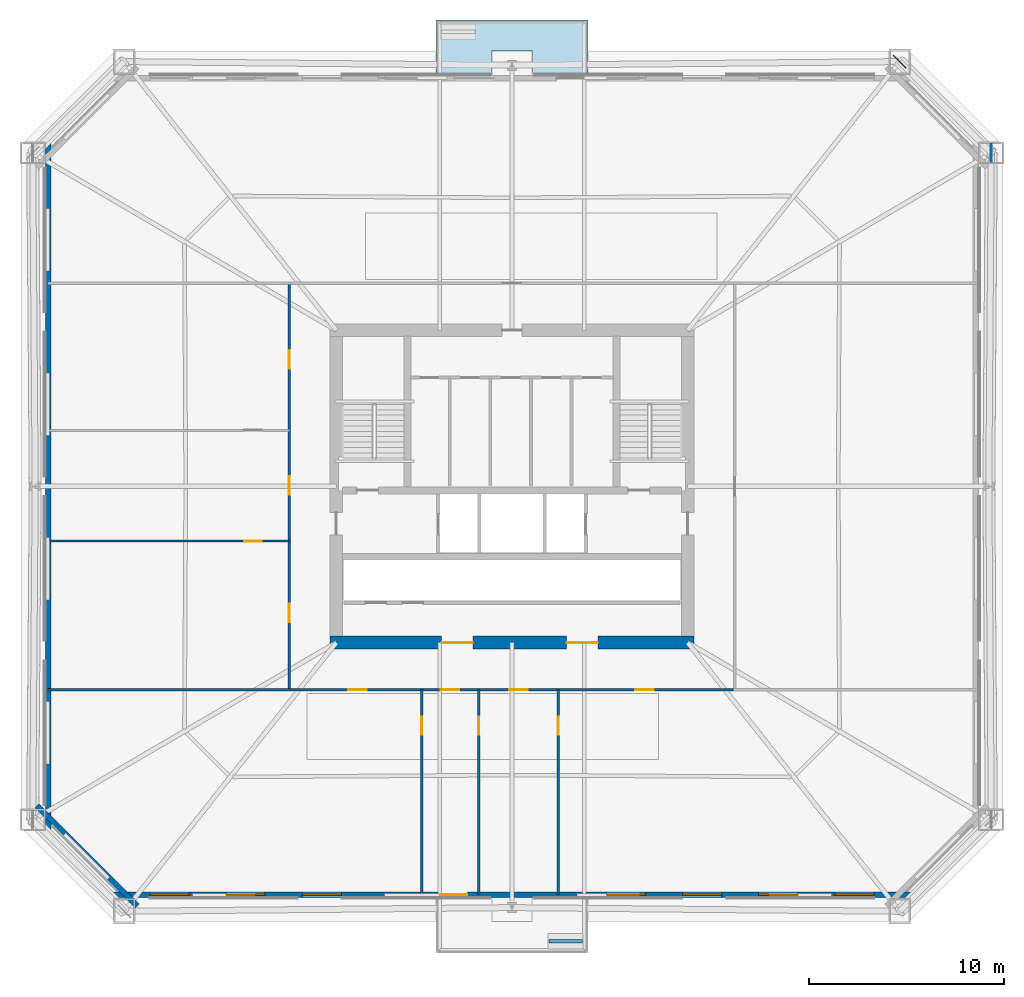
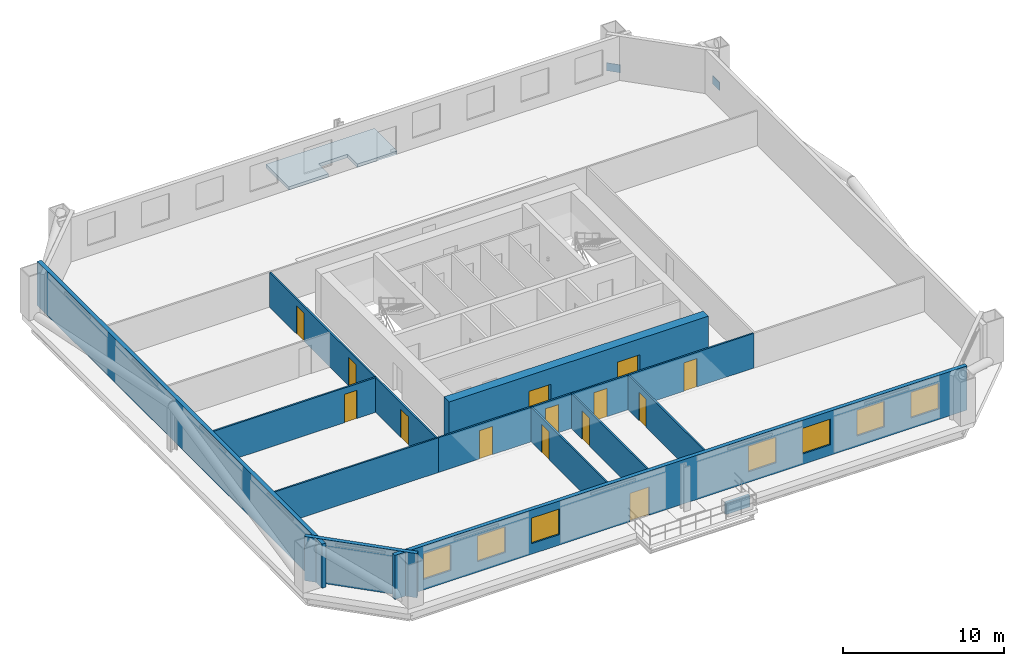
# One storey, part 3 of 7: 14 doors, 12 walls, 7 windows, 2 plates, 1 slab, 21 openings.
"""IFC4 building model written with IfcOpenShell, lengths in metres."""

import ifcopenshell
import ifcopenshell.guid

model = None  # the IFC model being written
_history = None  # IfcOwnerHistory: only IFC2X3 demands one
_inside = {}  # id of a spatial element -> (the spatial element, [elements in it])
_under = {}  # id of a project, library or spatial element -> (it, [spatial elements below it])
_declared = {}  # id of a project -> (the project, [libraries it declares])
_typed = {}  # id of a type object -> (the type object, [elements of that type])
_made_of = {}  # id of a material, layer set ... -> (it, [elements and type objects made of it])


def new_model(schema):
    """Start an empty IFC model of exactly this schema.

    Asked for "IFC4X3", IfcOpenShell would pick the latest addendum, in which some entities
    have other attributes; the version numbers below select the first issue.
    IFC2X3 requires an IfcOwnerHistory on every rooted entity: one is made here for all.
    """
    global model, _history
    if schema == "IFC4X3":
        model = ifcopenshell.file(schema_version=(4, 3, 0, 0))
    else:
        model = ifcopenshell.file(schema=schema)
    _inside.clear()
    _under.clear()
    _declared.clear()
    _typed.clear()
    _made_of.clear()
    _history = None
    if model.schema == "IFC2X3":
        org = make("IfcOrganization", Name="unknown")
        user = make(
            "IfcPersonAndOrganization",
            ThePerson=make("IfcPerson", FamilyName="unknown"),
            TheOrganization=org,
        )
        app = make(
            "IfcApplication",
            ApplicationDeveloper=org,
            Version="unknown",
            ApplicationFullName="unknown",
            ApplicationIdentifier="unknown",
        )
        _history = make(
            "IfcOwnerHistory",
            OwningUser=user,
            OwningApplication=app,
            ChangeAction="ADDED",
            CreationDate=0,
        )
    return model


def make(cls, **values):
    """One entity of the class cls with the attributes given. An attribute that is None is left unset."""
    return model.create_entity(
        cls, **{name: value for name, value in values.items() if value is not None}
    )


def rooted(cls, **values):
    """An entity with a GlobalId (a new one), such as an element, a storey or a relation."""
    return make(cls, GlobalId=ifcopenshell.guid.new(), OwnerHistory=_history, **values)


def si_unit(unit_type, name, prefix=None):
    """IfcSIUnit, for example si_unit("LENGTHUNIT", "METRE", prefix="MILLI")."""
    return make("IfcSIUnit", UnitType=unit_type, Prefix=prefix, Name=name)


def assignment(units):
    """IfcUnitAssignment: the units of a project."""
    return None if units is None else make("IfcUnitAssignment", Units=units)


def point(xyz):
    """IfcCartesianPoint."""
    return None if xyz is None else make("IfcCartesianPoint", Coordinates=xyz)


def direction(xyz):
    """IfcDirection."""
    return None if xyz is None else make("IfcDirection", DirectionRatios=xyz)


def frame(location, z_axis=None, x_axis=None):
    """IfcAxis2Placement3D, a coordinate frame: its origin and axes. An axis left out is left unset."""
    return make(
        "IfcAxis2Placement3D",
        Location=point(location),
        Axis=direction(z_axis),
        RefDirection=direction(x_axis),
    )


def frame_2d(location, x_axis=None):
    """IfcAxis2Placement2D, a coordinate frame in the plane: its origin and x axis."""
    return make(
        "IfcAxis2Placement2D", Location=point(location), RefDirection=direction(x_axis)
    )


def origin():
    """The frame at (0, 0, 0) with its axes left unset."""
    return frame((0.0, 0.0, 0.0))


def origin_2d():
    """The frame at (0, 0) in the plane with its x axis left unset."""
    return frame_2d((0.0, 0.0))


def place(relative_to, where):
    """IfcLocalPlacement: puts the frame where relative to a parent placement (None: the world)."""
    return make(
        "IfcLocalPlacement", PlacementRelTo=relative_to, RelativePlacement=where
    )


def context(
    kind, dimensions, precision=None, world=None, true_north=None, identifier=None
):
    """IfcGeometricRepresentationContext, for example the 3D "Model" context."""
    return make(
        "IfcGeometricRepresentationContext",
        ContextIdentifier=identifier,
        ContextType=kind,
        CoordinateSpaceDimension=dimensions,
        Precision=precision,
        WorldCoordinateSystem=world,
        TrueNorth=true_north,
    )


def subcontext(parent, identifier, kind, view, scale=None):
    """IfcGeometricRepresentationSubContext, for example "Body" below "Model"."""
    return make(
        "IfcGeometricRepresentationSubContext",
        ContextIdentifier=identifier,
        ContextType=kind,
        ParentContext=parent,
        TargetScale=scale,
        TargetView=view,
    )


def project(units=None, contexts=None):
    """IfcProject with its units and contexts."""
    return rooted(
        "IfcProject",
        Name="project",
        RepresentationContexts=contexts,
        UnitsInContext=assignment(units),
    )


def spatial(cls, under=None, at=None, **own):
    """A site, building, storey or space (cls), placed at a placement, below another one or the project."""
    s = rooted(cls, ObjectPlacement=at, **own)
    if under is not None:
        _under.setdefault(under.id(), (under, []))[1].append(s)
    return s


def polyline(points):
    """IfcPolyline through the points."""
    return make("IfcPolyline", Points=[point(p) for p in points])


def profile(cls, at=None, kind="AREA", **sizes):
    """A parametric profile (cls). Its sizes go by their IFC names, for example OverallWidth=200.0."""
    return make(cls, ProfileType=kind, Position=at, **sizes)


def rectangle(**sizes):
    """IfcRectangleProfileDef."""
    return profile("IfcRectangleProfileDef", **sizes)


def outline(outer, holes=None, kind="AREA"):
    """IfcArbitraryClosedProfileDef: a profile drawn as a closed curve; with holes, ...WithVoids."""
    if holes is None:
        return make("IfcArbitraryClosedProfileDef", ProfileType=kind, OuterCurve=outer)
    return make(
        "IfcArbitraryProfileDefWithVoids",
        ProfileType=kind,
        OuterCurve=outer,
        InnerCurves=holes,
    )


def extrude(swept, where, along, depth):
    """IfcExtrudedAreaSolid: the profile swept, set in the frame where, extruded along a direction by depth."""
    return make(
        "IfcExtrudedAreaSolid",
        SweptArea=swept,
        Position=where,
        ExtrudedDirection=direction(along),
        Depth=depth,
    )


def shape(context_of_items, identifier, shape_type, items):
    """IfcShapeRepresentation: the items that make up one representation, for example the "Body"."""
    return make(
        "IfcShapeRepresentation",
        ContextOfItems=context_of_items,
        RepresentationIdentifier=identifier,
        RepresentationType=shape_type,
        Items=items,
    )


def material(Name=None, Category=None):
    """IfcMaterial."""
    return make("IfcMaterial", Name=Name, Category=Category)


def layer(
    of_material, thickness, ventilated=None, Name=None, Category=None, Priority=None
):
    """IfcMaterialLayer: one layer of a wall or slab, of a material (None: an air gap)."""
    return make(
        "IfcMaterialLayer",
        Material=of_material,
        LayerThickness=thickness,
        IsVentilated=ventilated,
        Name=Name,
        Category=Category,
        Priority=Priority,
    )


def layer_set(layers, Name=None):
    """IfcMaterialLayerSet."""
    return make("IfcMaterialLayerSet", MaterialLayers=layers, LayerSetName=Name)


def made_of(thing, what):
    """Note that an element or type object is made of a material, layer set ...; save() writes the relation."""
    if what is not None:
        _made_of.setdefault(what.id(), (what, []))[1].append(thing)
    return thing


def type_object(cls, material=None, **own):
    """A type object (cls), such as IfcWallType, which elements share."""
    return made_of(rooted(cls, **own), material)


def element(
    cls,
    number,
    at=None,
    inside=None,
    cuts=None,
    type_object=None,
    material=None,
    context=None,
    identifier="Body",
    shape_type=None,
    held_by="IfcProductDefinitionShape",
    body=None,
    shapes=None,
    **own,
):
    """One element of the class cls, such as IfcWall. Its Tag is "e" and its number.

    at: its placement. inside: the storey or other place that contains it. cuts: it is an
    opening in that element (IfcRelVoidsElement). A single representation is given by context,
    identifier, shape_type and body (its items); several are given by shapes. held_by: the class
    of the entity that holds the representations. save() writes the other relations.
    """
    e = rooted(cls, Tag="e%d" % number, ObjectPlacement=at, **own)
    if body is not None:
        shapes = [shape(context, identifier, shape_type, body)]
    if shapes is not None:
        e.Representation = make(held_by, Representations=shapes)
    if inside is not None:
        _inside.setdefault(inside.id(), (inside, []))[1].append(e)
    if cuts is not None:
        rooted(
            "IfcRelVoidsElement", RelatingBuildingElement=cuts, RelatedOpeningElement=e
        )
    if type_object is not None:
        _typed.setdefault(type_object.id(), (type_object, []))[1].append(e)
    return made_of(e, material)


def fill(opening, filler):
    """IfcRelFillsElement: the door or window that sits in an opening."""
    return rooted(
        "IfcRelFillsElement",
        RelatingOpeningElement=opening,
        RelatedBuildingElement=filler,
    )


def aggregate(whole, parts):
    """IfcRelAggregates: a whole, such as a stair, and the parts it consists of."""
    return rooted("IfcRelAggregates", RelatingObject=whole, RelatedObjects=parts)


def save(model, path):
    """Write the relations noted so far, then the file.

    IfcRelAggregates (storeys below a building ...), IfcRelContainedInSpatialStructure (elements
    in a storey), IfcRelDefinesByType, IfcRelAssociatesMaterial and IfcRelDeclares: one each for
    every whole, place, type object, material and project.
    """
    for whole, parts in _under.values():
        aggregate(whole, parts)
    for where, things in _inside.values():
        rooted(
            "IfcRelContainedInSpatialStructure",
            RelatedElements=things,
            RelatingStructure=where,
        )
    for kind, things in _typed.values():
        rooted("IfcRelDefinesByType", RelatedObjects=things, RelatingType=kind)
    for what, things in _made_of.values():
        rooted("IfcRelAssociatesMaterial", RelatedObjects=things, RelatingMaterial=what)
    for by, libraries in _declared.values():
        rooted("IfcRelDeclares", RelatingContext=by, RelatedDefinitions=libraries)
    model.write(path)


model = new_model("IFC4")

# Units and contexts
model_context = context("Model", 3, precision=1e-05, world=origin(), true_north=direction((0.0, 1.0)))
body_context = subcontext(model_context, "Body", "Model", "MODEL_VIEW")
ifc_project = project(units=[si_unit("LENGTHUNIT", "METRE"), si_unit("AREAUNIT", "SQUARE_METRE"), si_unit("VOLUMEUNIT", "CUBIC_METRE"), si_unit("PLANEANGLEUNIT", "RADIAN"), si_unit("MASSUNIT", "GRAM", prefix="KILO")], contexts=[model_context])

# Site, building, storey
site_placement = place(None, origin())
site = spatial("IfcSite", under=ifc_project, at=site_placement, CompositionType="ELEMENT")
building_placement = place(site_placement, origin())
building = spatial("IfcBuilding", under=site, at=building_placement, Name="Caelvoria Tower", CompositionType="ELEMENT")
storey_placement = place(building_placement, frame((0.0, 0.0, 38.800048828125)))
storey = spatial("IfcBuildingStorey", under=building, at=storey_placement, Name="L09", CompositionType="ELEMENT", Elevation=38.800048828125)

# Plates
ifc_material_1 = material(Name="Structural Steel ASTM A572 Gr.50", Category="steel")
ifc_layer_1 = layer(ifc_material_1, 0.0400390625, Name="Structural Steel ASTM A572 Gr.50")
ifc_layer_set_1 = layer_set([ifc_layer_1], Name="Megaframe Node Gusset Plate 900x600x40 - Structural Steel ASTM A572 Gr.50")
plate_type = type_object("IfcPlateType", Name="Megaframe Node Gusset Plate 900x600x40", PredefinedType="USERDEFINED", material=ifc_layer_set_1)
for number, where, z_axis, x_axis, name in (
    (1, (65.86474609375, 53.768310546875, 0.02001953125), (0.0, 0.0, 1.0), (0.708230183111, -0.705981591638, 0.0), "Chamfer Mega Brace Gusset L09 NE"),
    (2, (70.55908203125, 49.0888671875, 0.0498046875), (0.0, 0.0, 1.0), (-0.007548477328, -0.999971509839, 0.0), "Megaframe Node Gusset Plate ND-04"),
):
    element("IfcPlate", number, at=place(storey_placement, frame(where, z_axis=z_axis, x_axis=x_axis)), inside=storey, type_object=plate_type, Name=name, ObjectType="GUSSET_PLATE", PredefinedType="USERDEFINED", context=body_context, shape_type="SweptSolid", body=[
        extrude(rectangle(XDim=0.89990234375, YDim=0.0400390625, at=origin_2d()), origin(), (0.0, 0.0, 1.0), 0.60009765625),
    ])

# Slab
ifc_material_2 = material(Name="Concrete C45/55", Category="concrete")
ifc_layer_2 = layer(ifc_material_2, 0.25, Name="Concrete C45/55")
ifc_layer_set_2 = layer_set([ifc_layer_2], Name="Tree Balcony Structural Planter Slab 250 - Concrete C45/55")
slab_type = type_object("IfcSlabType", Name="Tree Balcony Structural Planter Slab 250", PredefinedType="FLOOR", material=ifc_layer_set_2)
slab_placement = place(storey_placement, frame((0.0, 0.0, -0.25)))
element("IfcSlab", 3, at=slab_placement, inside=storey, type_object=slab_type, Name="Tree Balcony Slab TB-L09-N", PredefinedType="FLOOR", context=body_context, shape_type="SweptSolid", body=[
    extrude(outline(polyline([(42.10009765625, 55.89990234375), (42.10009765625, 54.300048828125), (42.10009765625, 53.06005859375), (44.9599609375, 53.06005859375), (44.9599609375, 54.300048828125), (47.0400390625, 54.300048828125), (47.0400390625, 53.06005859375), (49.89990234375, 53.06005859375), (49.89990234375, 54.300048828125), (49.89990234375, 55.89990234375), (42.10009765625, 55.89990234375)])), origin(), (0.0, 0.0, 1.0), 0.25),
])

# Wall
ifc_material_3 = material(Name="Bronze-Clad Concrete C40/50", Category="concrete")
ifc_layer_3 = layer(ifc_material_3, 0.179931640625, Name="Bronze-Clad Concrete C40/50")
ifc_layer_set_3 = layer_set([ifc_layer_3], Name="Architectural Planter Kerb Wall 180 - Bronze-Clad Concrete C40/50")
wall_type_1 = type_object("IfcWallType", Name="Architectural Planter Kerb Wall 180", PredefinedType="PARAPET", material=ifc_layer_set_3)
wall_1_placement = place(storey_placement, frame((47.89990234375, 8.699951171875, 0.0), z_axis=(0.0, 0.0, 1.0), x_axis=(1.0, 0.0, 0.0)))
element("IfcWall", 4, at=wall_1_placement, inside=storey, type_object=wall_type_1, Name="Tree Balcony Planter Kerb PLANTER TB-L09-S", PredefinedType="PARAPET", context=body_context, shape_type="SweptSolid", body=[
    extrude(rectangle(XDim=1.7001953125, YDim=0.179931640625, at=frame_2d((0.85009765625, 0.0))), origin(), (0.0, 0.0, 1.0), 0.8798828125),
])

# Wall, openings, windows, door
ifc_material_4 = material(Name="Precast Concrete C40/50 with Bronze Cladding", Category="concrete")
ifc_layer_4 = layer(ifc_material_4, 0.280029296875, Name="Precast Concrete C40/50 with Bronze Cladding")
ifc_layer_set_4 = layer_set([ifc_layer_4], Name="Exterior Precast Concrete C40/50 Bronze-Clad Facade Wall 280 - Precast Concrete C40/50 with Bronze Cladding")
wall_type_2 = type_object("IfcWallType", Name="Exterior Precast Concrete C40/50 Bronze-Clad Facade Wall 280", PredefinedType="STANDARD", material=ifc_layer_set_4)
wall_2_placement = place(storey_placement, frame((25.409912109375, 11.080078125, 0.0), z_axis=(0.0, 0.0, 1.0), x_axis=(1.0, 0.0, 0.0)))
wall_2 = element("IfcWall", 5, at=wall_2_placement, inside=storey, type_object=wall_type_2, Name="Exterior Facade Wall L09-E0", PredefinedType="STANDARD", context=body_context, shape_type="SweptSolid", body=[
    extrude(rectangle(XDim=41.18017578125, YDim=0.280029296875, at=frame_2d((20.590087890625, 0.0))), origin(), (0.0, 0.0, 1.0), 3.35986328125),
])
opening_1_placement = place(wall_2_placement, frame((16.909912109375, 0.0, 0.0)))
opening_1 = element("IfcOpeningElement", 6, at=opening_1_placement, cuts=wall_2, Name="Opening ED-04", PredefinedType="OPENING", context=body_context, shape_type="SweptSolid", body=[
    extrude(rectangle(XDim=1.39990234375, YDim=2.14990234375, at=frame_2d((0.699951171875, 1.074951171875))), frame((0.0, 0.14990234375, 0.0), z_axis=(0.0, -1.0, 0.0), x_axis=(1.0, 0.0, 0.0)), (0.0, 0.0, 1.0), 0.300048828125),
])
opening_2_placement = place(wall_2_placement, frame((2.049072265625, 0.0, 0.800048828125)))
opening_2 = element("IfcOpeningElement", 7, at=opening_2_placement, cuts=wall_2, Name="Opening WN-01", PredefinedType="OPENING", context=body_context, shape_type="SweptSolid", body=[
    extrude(rectangle(XDim=2.0, YDim=1.949951171875, at=frame_2d((1.0, 0.97509765625))), frame((0.0, 0.14990234375, 0.0), z_axis=(0.0, -1.0, 0.0), x_axis=(1.0, 0.0, 0.0)), (0.0, 0.0, 1.0), 0.300048828125),
])
opening_3_placement = place(wall_2_placement, frame((5.947021484375, 0.0, 0.800048828125)))
opening_3 = element("IfcOpeningElement", 8, at=opening_3_placement, cuts=wall_2, Name="Opening WN-01", PredefinedType="OPENING", context=body_context, shape_type="SweptSolid", body=[
    extrude(rectangle(XDim=2.0, YDim=1.949951171875, at=frame_2d((1.0, 0.97509765625))), frame((0.0, 0.14990234375, 0.0), z_axis=(0.0, -1.0, 0.0), x_axis=(1.0, 0.0, 0.0)), (0.0, 0.0, 1.0), 0.300048828125),
])
opening_4_placement = place(wall_2_placement, frame((9.844970703125, 0.0, 0.800048828125)))
opening_4 = element("IfcOpeningElement", 9, at=opening_4_placement, cuts=wall_2, Name="Opening WN-01", PredefinedType="OPENING", context=body_context, shape_type="SweptSolid", body=[
    extrude(rectangle(XDim=2.0, YDim=1.949951171875, at=frame_2d((1.0, 0.97509765625))), frame((0.0, 0.14990234375, 0.0), z_axis=(0.0, -1.0, 0.0), x_axis=(1.0, 0.0, 0.0)), (0.0, 0.0, 1.0), 0.300048828125),
])
opening_5_placement = place(wall_2_placement, frame((25.43701171875, 0.0, 0.800048828125)))
opening_5 = element("IfcOpeningElement", 10, at=opening_5_placement, cuts=wall_2, Name="Opening WN-01", PredefinedType="OPENING", context=body_context, shape_type="SweptSolid", body=[
    extrude(rectangle(XDim=2.0, YDim=1.949951171875, at=frame_2d((1.0, 0.97509765625))), frame((0.0, 0.14990234375, 0.0), z_axis=(0.0, -1.0, 0.0), x_axis=(1.0, 0.0, 0.0)), (0.0, 0.0, 1.0), 0.300048828125),
])
opening_6_placement = place(wall_2_placement, frame((29.3349609375, 0.0, 0.800048828125)))
opening_6 = element("IfcOpeningElement", 11, at=opening_6_placement, cuts=wall_2, Name="Opening WN-01", PredefinedType="OPENING", context=body_context, shape_type="SweptSolid", body=[
    extrude(rectangle(XDim=2.0, YDim=1.949951171875, at=frame_2d((1.0, 0.97509765625))), frame((0.0, 0.14990234375, 0.0), z_axis=(0.0, -1.0, 0.0), x_axis=(1.0, 0.0, 0.0)), (0.0, 0.0, 1.0), 0.300048828125),
])
opening_7_placement = place(wall_2_placement, frame((33.23291015625, 0.0, 0.800048828125)))
opening_7 = element("IfcOpeningElement", 12, at=opening_7_placement, cuts=wall_2, Name="Opening WN-01", PredefinedType="OPENING", context=body_context, shape_type="SweptSolid", body=[
    extrude(rectangle(XDim=2.0, YDim=1.949951171875, at=frame_2d((1.0, 0.97509765625))), frame((0.0, 0.14990234375, 0.0), z_axis=(0.0, -1.0, 0.0), x_axis=(1.0, 0.0, 0.0)), (0.0, 0.0, 1.0), 0.300048828125),
])
opening_8_placement = place(wall_2_placement, frame((37.131103515625, 0.0, 0.800048828125)))
opening_8 = element("IfcOpeningElement", 13, at=opening_8_placement, cuts=wall_2, Name="Opening WN-01", PredefinedType="OPENING", context=body_context, shape_type="SweptSolid", body=[
    extrude(rectangle(XDim=2.0, YDim=1.949951171875, at=frame_2d((1.0, 0.97509765625))), frame((0.0, 0.14990234375, 0.0), z_axis=(0.0, -1.0, 0.0), x_axis=(1.0, 0.0, 0.0)), (0.0, 0.0, 1.0), 0.300048828125),
])
ifc_material_5 = material(Name="Low-E Tinted Glass in Bronze Aluminium Frame", Category="aluminium")
window_type = type_object("IfcWindowType", Name="Tower Office Vision Window 2000x1950", PartitioningType="SINGLE_PANEL", PredefinedType="WINDOW", material=ifc_material_5)
window_1_placement = place(opening_2_placement, origin())
window_1 = element("IfcWindow", 14, at=window_1_placement, inside=storey, type_object=window_type, Name="Facade Window L09-E0-00", OverallHeight=1.949951171875, OverallWidth=2.0, PartitioningType="SINGLE_PANEL", PredefinedType="WINDOW", context=body_context, shape_type="SweptSolid", body=[
    extrude(rectangle(XDim=2.0, YDim=1.949951171875, at=frame_2d((1.0, 0.97509765625))), frame((0.0, 0.030029296875, 0.0), z_axis=(0.0, -1.0, 0.0), x_axis=(1.0, 0.0, 0.0)), (0.0, 0.0, 1.0), 0.06005859375),
])
fill(opening_2, window_1)
window_2_placement = place(opening_3_placement, origin())
window_2 = element("IfcWindow", 15, at=window_2_placement, inside=storey, type_object=window_type, Name="Facade Window L09-E0-01", OverallHeight=1.949951171875, OverallWidth=2.0, PartitioningType="SINGLE_PANEL", PredefinedType="WINDOW", context=body_context, shape_type="SweptSolid", body=[
    extrude(rectangle(XDim=2.0, YDim=1.949951171875, at=frame_2d((1.0, 0.97509765625))), frame((0.0, 0.030029296875, 0.0), z_axis=(0.0, -1.0, 0.0), x_axis=(1.0, 0.0, 0.0)), (0.0, 0.0, 1.0), 0.06005859375),
])
fill(opening_3, window_2)
window_3_placement = place(opening_4_placement, origin())
window_3 = element("IfcWindow", 16, at=window_3_placement, inside=storey, type_object=window_type, Name="Facade Window L09-E0-02", OverallHeight=1.949951171875, OverallWidth=2.0, PartitioningType="SINGLE_PANEL", PredefinedType="WINDOW", context=body_context, shape_type="SweptSolid", body=[
    extrude(rectangle(XDim=2.0, YDim=1.949951171875, at=frame_2d((1.0, 0.97509765625))), frame((0.0, 0.030029296875, 0.0), z_axis=(0.0, -1.0, 0.0), x_axis=(1.0, 0.0, 0.0)), (0.0, 0.0, 1.0), 0.06005859375),
])
fill(opening_4, window_3)
window_4_placement = place(opening_5_placement, origin())
window_4 = element("IfcWindow", 17, at=window_4_placement, inside=storey, type_object=window_type, Name="Facade Window L09-E0-06", OverallHeight=1.949951171875, OverallWidth=2.0, PartitioningType="SINGLE_PANEL", PredefinedType="WINDOW", context=body_context, shape_type="SweptSolid", body=[
    extrude(rectangle(XDim=2.0, YDim=1.949951171875, at=frame_2d((1.0, 0.97509765625))), frame((0.0, 0.030029296875, 0.0), z_axis=(0.0, -1.0, 0.0), x_axis=(1.0, 0.0, 0.0)), (0.0, 0.0, 1.0), 0.06005859375),
])
fill(opening_5, window_4)
window_5_placement = place(opening_6_placement, origin())
window_5 = element("IfcWindow", 18, at=window_5_placement, inside=storey, type_object=window_type, Name="Facade Window L09-E0-07", OverallHeight=1.949951171875, OverallWidth=2.0, PartitioningType="SINGLE_PANEL", PredefinedType="WINDOW", context=body_context, shape_type="SweptSolid", body=[
    extrude(rectangle(XDim=2.0, YDim=1.949951171875, at=frame_2d((1.0, 0.97509765625))), frame((0.0, 0.030029296875, 0.0), z_axis=(0.0, -1.0, 0.0), x_axis=(1.0, 0.0, 0.0)), (0.0, 0.0, 1.0), 0.06005859375),
])
fill(opening_6, window_5)
window_6_placement = place(opening_7_placement, origin())
window_6 = element("IfcWindow", 19, at=window_6_placement, inside=storey, type_object=window_type, Name="Facade Window L09-E0-08", OverallHeight=1.949951171875, OverallWidth=2.0, PartitioningType="SINGLE_PANEL", PredefinedType="WINDOW", context=body_context, shape_type="SweptSolid", body=[
    extrude(rectangle(XDim=2.0, YDim=1.949951171875, at=frame_2d((1.0, 0.97509765625))), frame((0.0, 0.030029296875, 0.0), z_axis=(0.0, -1.0, 0.0), x_axis=(1.0, 0.0, 0.0)), (0.0, 0.0, 1.0), 0.06005859375),
])
fill(opening_7, window_6)
window_7_placement = place(opening_8_placement, origin())
window_7 = element("IfcWindow", 20, at=window_7_placement, inside=storey, type_object=window_type, Name="Facade Window L09-E0-09", OverallHeight=1.949951171875, OverallWidth=2.0, PartitioningType="SINGLE_PANEL", PredefinedType="WINDOW", context=body_context, shape_type="SweptSolid", body=[
    extrude(rectangle(XDim=2.0, YDim=1.949951171875, at=frame_2d((1.0, 0.97509765625))), frame((0.0, 0.030029296875, 0.0), z_axis=(0.0, -1.0, 0.0), x_axis=(1.0, 0.0, 0.0)), (0.0, 0.0, 1.0), 0.06005859375),
])
fill(opening_8, window_7)
ifc_material_6 = material(Name="Anodised Bronze Aluminium and Laminated Glass", Category="aluminium")
door_type_1 = type_object("IfcDoorType", Name="Tree Balcony Glazed Door 1400x2150", OperationType="NOTDEFINED", PredefinedType="DOOR", material=ifc_material_6)
door_1_placement = place(opening_1_placement, origin())
door_1 = element("IfcDoor", 21, at=door_1_placement, inside=storey, type_object=door_type_1, Name="Tree Balcony Door L09-S", OperationType="SINGLE_SWING_RIGHT", OverallHeight=2.14990234375, OverallWidth=1.39990234375, PredefinedType="DOOR", context=body_context, shape_type="SweptSolid", body=[
    extrude(rectangle(XDim=1.39990234375, YDim=2.14990234375, at=frame_2d((0.699951171875, 1.074951171875))), frame((0.0, 0.02490234375, 0.0), z_axis=(0.0, -1.0, 0.0), x_axis=(1.0, 0.0, 0.0)), (0.0, 0.0, 1.0), 0.050048828125),
])
fill(opening_1, door_1)

# Walls
wall_3_placement = place(storey_placement, frame((22.22998046875, 49.739990234375, 0.0), z_axis=(0.0, 0.0, 1.0), x_axis=(0.0, -1.0, 0.0)))
element("IfcWall", 22, at=wall_3_placement, inside=storey, type_object=wall_type_2, Name="Exterior Facade Wall L09-E6", PredefinedType="STANDARD", context=body_context, shape_type="SweptSolid", body=[
    extrude(rectangle(XDim=35.47998046875, YDim=0.280029296875, at=frame_2d((17.739990234375, 0.0))), origin(), (0.0, 0.0, 1.0), 3.35986328125),
])
wall_4_placement = place(storey_placement, frame((21.656005859375, 15.6455078125, 0.0), z_axis=(0.0, 0.0, 1.0), x_axis=(0.707106781187, -0.707106781187, 0.0)))
element("IfcWall", 23, at=wall_4_placement, inside=storey, type_object=wall_type_2, Name="Exterior Facade Wall L09-E7", PredefinedType="STANDARD", context=body_context, shape_type="SweptSolid", body=[
    extrude(rectangle(XDim=7.268310546875, YDim=0.280029296875, at=frame_2d((3.63427734375, 0.0))), origin(), (0.0, 0.0, 1.0), 3.35986328125),
])

# Wall, openings, doors
ifc_material_7 = material(Name="Concrete C60/75", Category="concrete")
ifc_layer_5 = layer(ifc_material_7, 0.64990234375, Name="Concrete C60/75")
ifc_layer_set_5 = layer_set([ifc_layer_5], Name="Lower Core Shear Wall 650 - Concrete C60/75")
wall_type_3 = type_object("IfcWallType", Name="Lower Core Shear Wall 650", PredefinedType="SHEAR", material=ifc_layer_set_5)
wall_5_placement = place(storey_placement, frame((36.675048828125, 24.0, 0.0), z_axis=(0.0, 0.0, 1.0), x_axis=(1.0, 0.0, 0.0)))
wall_5 = element("IfcWall", 24, at=wall_5_placement, inside=storey, type_object=wall_type_3, Name="Core Shear Wall L09 S", PredefinedType="SHEAR", context=body_context, shape_type="SweptSolid", body=[
    extrude(rectangle(XDim=18.64990234375, YDim=0.64990234375, at=frame_2d((9.324951171875, 0.0))), origin(), (0.0, 0.0, 1.0), 3.35986328125),
])
opening_9_placement = place(wall_5_placement, frame((5.72509765625, 0.0, 0.0)))
opening_9 = element("IfcOpeningElement", 25, at=opening_9_placement, cuts=wall_5, Name="Opening ID-08", PredefinedType="OPENING", context=body_context, shape_type="SweptSolid", body=[
    extrude(rectangle(XDim=1.60009765625, YDim=2.14990234375, at=frame_2d((0.800048828125, 1.074951171875))), frame((0.0, 0.3349609375, 0.0), z_axis=(0.0, -1.0, 0.0), x_axis=(1.0, 0.0, 0.0)), (0.0, 0.0, 1.0), 0.669921875),
])
opening_10_placement = place(wall_5_placement, frame((12.125, 0.0, 0.0)))
opening_10 = element("IfcOpeningElement", 26, at=opening_10_placement, cuts=wall_5, Name="Opening ID-08", PredefinedType="OPENING", context=body_context, shape_type="SweptSolid", body=[
    extrude(rectangle(XDim=1.60009765625, YDim=2.14990234375, at=frame_2d((0.800048828125, 1.074951171875))), frame((0.0, 0.3349609375, 0.0), z_axis=(0.0, -1.0, 0.0), x_axis=(1.0, 0.0, 0.0)), (0.0, 0.0, 1.0), 0.669921875),
])
ifc_material_8 = material(Name="Bronze-Framed Fire-Rated Glazed Double Door", Category="aluminium")
door_type_2 = type_object("IfcDoorType", Name="Double Lobby Glazed Door 1600x2200", OperationType="NOTDEFINED", PredefinedType="DOOR", material=ifc_material_8)
door_2_placement = place(opening_9_placement, origin())
door_2 = element("IfcDoor", 27, at=door_2_placement, inside=storey, type_object=door_type_2, Name="Core Door DR-L09-LLOB-S1", OperationType="DOUBLE_DOOR_SINGLE_SWING", OverallHeight=2.14990234375, OverallWidth=1.60009765625, PredefinedType="DOOR", context=body_context, shape_type="SweptSolid", body=[
    extrude(rectangle(XDim=1.60009765625, YDim=2.14990234375, at=frame_2d((0.800048828125, 1.074951171875))), frame((0.0, 0.02490234375, 0.0), z_axis=(0.0, -1.0, 0.0), x_axis=(1.0, 0.0, 0.0)), (0.0, 0.0, 1.0), 0.050048828125),
])
fill(opening_9, door_2)
door_3_placement = place(opening_10_placement, origin())
door_3 = element("IfcDoor", 28, at=door_3_placement, inside=storey, type_object=door_type_2, Name="Core Door DR-L09-LLOB-S2", OperationType="DOUBLE_DOOR_SINGLE_SWING", OverallHeight=2.14990234375, OverallWidth=1.60009765625, PredefinedType="DOOR", context=body_context, shape_type="SweptSolid", body=[
    extrude(rectangle(XDim=1.60009765625, YDim=2.14990234375, at=frame_2d((0.800048828125, 1.074951171875))), frame((0.0, 0.02490234375, 0.0), z_axis=(0.0, -1.0, 0.0), x_axis=(1.0, 0.0, 0.0)), (0.0, 0.0, 1.0), 0.050048828125),
])
fill(opening_10, door_3)

# Wall, opening, door
ifc_material_9 = material(Name="Acoustic Gypsum Board on Light-Gauge Stud", Category="gypsum")
ifc_layer_6 = layer(ifc_material_9, 0.1201171875, Name="Acoustic Gypsum Board on Light-Gauge Stud")
ifc_layer_set_6 = layer_set([ifc_layer_6], Name="Tenant Suite Acoustic Partition Wall 120 - Acoustic Gypsum Board on Light-Gauge Stud")
wall_type_4 = type_object("IfcWallType", Name="Tenant Suite Acoustic Partition Wall 120", PredefinedType="PARTITIONING", material=ifc_layer_set_6)
wall_6_placement = place(storey_placement, frame((41.37890625, 21.590087890625, 0.0), z_axis=(0.0, 0.0, 1.0), x_axis=(0.0, -1.0, 0.0)))
wall_6 = element("IfcWall", 29, at=wall_6_placement, inside=storey, type_object=wall_type_4, Name="Interior Partition IW-L09-SD-00-0", PredefinedType="PARTITIONING", context=body_context, shape_type="SweptSolid", body=[
    extrude(rectangle(XDim=10.510009765625, YDim=0.1201171875, at=frame_2d((5.2548828125, 0.0))), origin(), (0.0, 0.0, 1.0), 2.639892578125),
])
opening_11_placement = place(wall_6_placement, frame((1.39990234375, 0.0, 0.0)))
opening_11 = element("IfcOpeningElement", 30, at=opening_11_placement, cuts=wall_6, Name="Opening ID-06", PredefinedType="OPENING", context=body_context, shape_type="SweptSolid", body=[
    extrude(rectangle(XDim=0.89990234375, YDim=2.14990234375, at=frame_2d((0.449951171875, 1.074951171875))), frame((0.0, 0.070068359375, 0.0), z_axis=(0.0, -1.0, 0.0), x_axis=(1.0, 0.0, 0.0)), (0.0, 0.0, 1.0), 0.14013671875),
])
ifc_material_10 = material(Name="Engineered Andean Oak Veneer Door", Category="wood")
door_type_3 = type_object("IfcDoorType", Name="Interior Timber Door 900x2150", OperationType="NOTDEFINED", PredefinedType="DOOR", material=ifc_material_10)
door_4_placement = place(opening_11_placement, origin())
door_4 = element("IfcDoor", 31, at=door_4_placement, inside=storey, type_object=door_type_3, Name="Interior Door DR-L09-SM-00-0", OperationType="SINGLE_SWING_RIGHT", OverallHeight=2.14990234375, OverallWidth=0.89990234375, PredefinedType="DOOR", context=body_context, shape_type="SweptSolid", body=[
    extrude(rectangle(XDim=0.89990234375, YDim=2.14990234375, at=frame_2d((0.449951171875, 1.074951171875))), frame((0.0, 0.02490234375, 0.0), z_axis=(0.0, -1.0, 0.0), x_axis=(1.0, 0.0, 0.0)), (0.0, 0.0, 1.0), 0.050048828125),
])
fill(opening_11, door_4)

wall_7_placement = place(storey_placement, frame((44.288818359375, 21.590087890625, 0.0), z_axis=(0.0, 0.0, 1.0), x_axis=(0.0, -1.0, 0.0)))
wall_7 = element("IfcWall", 32, at=wall_7_placement, inside=storey, type_object=wall_type_4, Name="Interior Partition IW-L09-SD-01-0", PredefinedType="PARTITIONING", context=body_context, shape_type="SweptSolid", body=[
    extrude(rectangle(XDim=10.510009765625, YDim=0.1201171875, at=frame_2d((5.2548828125, 0.0))), origin(), (0.0, 0.0, 1.0), 2.639892578125),
])
opening_12_placement = place(wall_7_placement, frame((1.39990234375, 0.0, 0.0)))
opening_12 = element("IfcOpeningElement", 33, at=opening_12_placement, cuts=wall_7, Name="Opening ID-06", PredefinedType="OPENING", context=body_context, shape_type="SweptSolid", body=[
    extrude(rectangle(XDim=0.89990234375, YDim=2.14990234375, at=frame_2d((0.449951171875, 1.074951171875))), frame((0.0, 0.070068359375, 0.0), z_axis=(0.0, -1.0, 0.0), x_axis=(1.0, 0.0, 0.0)), (0.0, 0.0, 1.0), 0.14013671875),
])
door_5_placement = place(opening_12_placement, origin())
door_5 = element("IfcDoor", 34, at=door_5_placement, inside=storey, type_object=door_type_3, Name="Interior Door DR-L09-SM-01-0", OperationType="SINGLE_SWING_LEFT", OverallHeight=2.14990234375, OverallWidth=0.89990234375, PredefinedType="DOOR", context=body_context, shape_type="SweptSolid", body=[
    extrude(rectangle(XDim=0.89990234375, YDim=2.14990234375, at=frame_2d((0.449951171875, 1.074951171875))), frame((0.0, 0.02490234375, 0.0), z_axis=(0.0, -1.0, 0.0), x_axis=(1.0, 0.0, 0.0)), (0.0, 0.0, 1.0), 0.050048828125),
])
fill(opening_12, door_5)

wall_8_placement = place(storey_placement, frame((48.36962890625, 21.590087890625, 0.0), z_axis=(0.0, 0.0, 1.0), x_axis=(0.0, -1.0, 0.0)))
wall_8 = element("IfcWall", 35, at=wall_8_placement, inside=storey, type_object=wall_type_4, Name="Interior Partition IW-L09-SD-02-0", PredefinedType="PARTITIONING", context=body_context, shape_type="SweptSolid", body=[
    extrude(rectangle(XDim=10.510009765625, YDim=0.1201171875, at=frame_2d((5.2548828125, 0.0))), origin(), (0.0, 0.0, 1.0), 2.639892578125),
])
opening_13_placement = place(wall_8_placement, frame((1.39990234375, 0.0, 0.0)))
opening_13 = element("IfcOpeningElement", 36, at=opening_13_placement, cuts=wall_8, Name="Opening ID-06", PredefinedType="OPENING", context=body_context, shape_type="SweptSolid", body=[
    extrude(rectangle(XDim=0.89990234375, YDim=2.14990234375, at=frame_2d((0.449951171875, 1.074951171875))), frame((0.0, 0.070068359375, 0.0), z_axis=(0.0, -1.0, 0.0), x_axis=(1.0, 0.0, 0.0)), (0.0, 0.0, 1.0), 0.14013671875),
])
door_6_placement = place(opening_13_placement, origin())
door_6 = element("IfcDoor", 37, at=door_6_placement, inside=storey, type_object=door_type_3, Name="Interior Door DR-L09-SM-02-0", OperationType="SINGLE_SWING_RIGHT", OverallHeight=2.14990234375, OverallWidth=0.89990234375, PredefinedType="DOOR", context=body_context, shape_type="SweptSolid", body=[
    extrude(rectangle(XDim=0.89990234375, YDim=2.14990234375, at=frame_2d((0.449951171875, 1.074951171875))), frame((0.0, 0.02490234375, 0.0), z_axis=(0.0, -1.0, 0.0), x_axis=(1.0, 0.0, 0.0)), (0.0, 0.0, 1.0), 0.050048828125),
])
fill(opening_13, door_6)

# Wall, openings, doors
wall_9_placement = place(storey_placement, frame((34.64990234375, 21.590087890625, 0.0), z_axis=(0.0, 0.0, 1.0), x_axis=(1.0, 0.0, 0.0)))
wall_9 = element("IfcWall", 38, at=wall_9_placement, inside=storey, type_object=wall_type_4, Name="Interior Partition IW-L09-SCW-0", PredefinedType="PARTITIONING", context=body_context, shape_type="SweptSolid", body=[
    extrude(rectangle(XDim=22.7001953125, YDim=0.1201171875, at=frame_2d((11.35009765625, 0.0))), origin(), (0.0, 0.0, 1.0), 2.639892578125),
])
opening_14_placement = place(wall_9_placement, frame((2.95947265625, 0.0, 0.0)))
opening_14 = element("IfcOpeningElement", 39, at=opening_14_placement, cuts=wall_9, Name="Opening ID-05", PredefinedType="OPENING", context=body_context, shape_type="SweptSolid", body=[
    extrude(rectangle(XDim=0.949951171875, YDim=2.14990234375, at=frame_2d((0.47509765625, 1.074951171875))), frame((0.0, 0.070068359375, 0.0), z_axis=(0.0, -1.0, 0.0), x_axis=(1.0, 0.0, 0.0)), (0.0, 0.0, 1.0), 0.14013671875),
])
opening_15_placement = place(wall_9_placement, frame((7.708740234375, 0.0, 0.0)))
opening_15 = element("IfcOpeningElement", 40, at=opening_15_placement, cuts=wall_9, Name="Opening ID-05", PredefinedType="OPENING", context=body_context, shape_type="SweptSolid", body=[
    extrude(rectangle(XDim=0.949951171875, YDim=2.14990234375, at=frame_2d((0.47509765625, 1.074951171875))), frame((0.0, 0.070068359375, 0.0), z_axis=(0.0, -1.0, 0.0), x_axis=(1.0, 0.0, 0.0)), (0.0, 0.0, 1.0), 0.14013671875),
])
opening_16_placement = place(wall_9_placement, frame((11.2041015625, 0.0, 0.0)))
opening_16 = element("IfcOpeningElement", 41, at=opening_16_placement, cuts=wall_9, Name="Opening ID-05", PredefinedType="OPENING", context=body_context, shape_type="SweptSolid", body=[
    extrude(rectangle(XDim=0.949951171875, YDim=2.14990234375, at=frame_2d((0.47509765625, 1.074951171875))), frame((0.0, 0.070068359375, 0.0), z_axis=(0.0, -1.0, 0.0), x_axis=(1.0, 0.0, 0.0)), (0.0, 0.0, 1.0), 0.14013671875),
])
opening_17_placement = place(wall_9_placement, frame((17.664794921875, 0.0, 0.0)))
opening_17 = element("IfcOpeningElement", 42, at=opening_17_placement, cuts=wall_9, Name="Opening ID-05", PredefinedType="OPENING", context=body_context, shape_type="SweptSolid", body=[
    extrude(rectangle(XDim=0.949951171875, YDim=2.14990234375, at=frame_2d((0.47509765625, 1.074951171875))), frame((0.0, 0.070068359375, 0.0), z_axis=(0.0, -1.0, 0.0), x_axis=(1.0, 0.0, 0.0)), (0.0, 0.0, 1.0), 0.14013671875),
])
door_type_4 = type_object("IfcDoorType", Name="Interior Timber Door 950x2150", OperationType="NOTDEFINED", PredefinedType="DOOR", material=ifc_material_10)
door_7_placement = place(opening_14_placement, origin())
door_7 = element("IfcDoor", 43, at=door_7_placement, inside=storey, type_object=door_type_4, Name="Interior Door DR-L09-SC-00-0", OperationType="SINGLE_SWING_RIGHT", OverallHeight=2.14990234375, OverallWidth=0.949951171875, PredefinedType="DOOR", context=body_context, shape_type="SweptSolid", body=[
    extrude(rectangle(XDim=0.949951171875, YDim=2.14990234375, at=frame_2d((0.47509765625, 1.074951171875))), frame((0.0, 0.02490234375, 0.0), z_axis=(0.0, -1.0, 0.0), x_axis=(1.0, 0.0, 0.0)), (0.0, 0.0, 1.0), 0.050048828125),
])
fill(opening_14, door_7)
door_8_placement = place(opening_15_placement, origin())
door_8 = element("IfcDoor", 44, at=door_8_placement, inside=storey, type_object=door_type_4, Name="Interior Door DR-L09-SC-01-0", OperationType="SINGLE_SWING_LEFT", OverallHeight=2.14990234375, OverallWidth=0.949951171875, PredefinedType="DOOR", context=body_context, shape_type="SweptSolid", body=[
    extrude(rectangle(XDim=0.949951171875, YDim=2.14990234375, at=frame_2d((0.47509765625, 1.074951171875))), frame((0.0, 0.02490234375, 0.0), z_axis=(0.0, -1.0, 0.0), x_axis=(1.0, 0.0, 0.0)), (0.0, 0.0, 1.0), 0.050048828125),
])
fill(opening_15, door_8)
door_9_placement = place(opening_16_placement, origin())
door_9 = element("IfcDoor", 45, at=door_9_placement, inside=storey, type_object=door_type_4, Name="Interior Door DR-L09-SC-02-0", OperationType="SINGLE_SWING_RIGHT", OverallHeight=2.14990234375, OverallWidth=0.949951171875, PredefinedType="DOOR", context=body_context, shape_type="SweptSolid", body=[
    extrude(rectangle(XDim=0.949951171875, YDim=2.14990234375, at=frame_2d((0.47509765625, 1.074951171875))), frame((0.0, 0.02490234375, 0.0), z_axis=(0.0, -1.0, 0.0), x_axis=(1.0, 0.0, 0.0)), (0.0, 0.0, 1.0), 0.050048828125),
])
fill(opening_16, door_9)
door_10_placement = place(opening_17_placement, origin())
door_10 = element("IfcDoor", 46, at=door_10_placement, inside=storey, type_object=door_type_4, Name="Interior Door DR-L09-SC-03-0", OperationType="SINGLE_SWING_LEFT", OverallHeight=2.14990234375, OverallWidth=0.949951171875, PredefinedType="DOOR", context=body_context, shape_type="SweptSolid", body=[
    extrude(rectangle(XDim=0.949951171875, YDim=2.14990234375, at=frame_2d((0.47509765625, 1.074951171875))), frame((0.0, 0.02490234375, 0.0), z_axis=(0.0, -1.0, 0.0), x_axis=(1.0, 0.0, 0.0)), (0.0, 0.0, 1.0), 0.050048828125),
])
fill(opening_17, door_10)

# Wall, opening, door
wall_10_placement = place(storey_placement, frame((34.590087890625, 29.2041015625, 0.0), z_axis=(0.0, 0.0, 1.0), x_axis=(-1.0, 0.0, 0.0)))
wall_10 = element("IfcWall", 47, at=wall_10_placement, inside=storey, type_object=wall_type_4, Name="Interior Partition IW-L09-WD-00-0", PredefinedType="PARTITIONING", context=body_context, shape_type="SweptSolid", body=[
    extrude(rectangle(XDim=12.360107421875, YDim=0.1201171875, at=frame_2d((6.18017578125, 0.0))), origin(), (0.0, 0.0, 1.0), 2.639892578125),
])
opening_18_placement = place(wall_10_placement, frame((1.39990234375, 0.0, 0.0)))
opening_18 = element("IfcOpeningElement", 48, at=opening_18_placement, cuts=wall_10, Name="Opening ID-06", PredefinedType="OPENING", context=body_context, shape_type="SweptSolid", body=[
    extrude(rectangle(XDim=0.89990234375, YDim=2.14990234375, at=frame_2d((0.449951171875, 1.074951171875))), frame((0.0, 0.070068359375, 0.0), z_axis=(0.0, -1.0, 0.0), x_axis=(1.0, 0.0, 0.0)), (0.0, 0.0, 1.0), 0.14013671875),
])
door_11_placement = place(opening_18_placement, origin())
door_11 = element("IfcDoor", 49, at=door_11_placement, inside=storey, type_object=door_type_3, Name="Interior Door DR-L09-WM-00-0", OperationType="SINGLE_SWING_RIGHT", OverallHeight=2.14990234375, OverallWidth=0.89990234375, PredefinedType="DOOR", context=body_context, shape_type="SweptSolid", body=[
    extrude(rectangle(XDim=0.89990234375, YDim=2.14990234375, at=frame_2d((0.449951171875, 1.074951171875))), frame((0.0, 0.02490234375, 0.0), z_axis=(0.0, -1.0, 0.0), x_axis=(1.0, 0.0, 0.0)), (0.0, 0.0, 1.0), 0.050048828125),
])
fill(opening_18, door_11)

# Wall, openings, doors
wall_11_placement = place(storey_placement, frame((34.590087890625, 21.64990234375, 0.0), z_axis=(0.0, 0.0, 1.0), x_axis=(0.0, 1.0, 0.0)))
wall_11 = element("IfcWall", 50, at=wall_11_placement, inside=storey, type_object=wall_type_4, Name="Interior Partition IW-L09-WCW-0", PredefinedType="PARTITIONING", context=body_context, shape_type="SweptSolid", body=[
    extrude(rectangle(XDim=20.7001953125, YDim=0.1201171875, at=frame_2d((10.35009765625, 0.0))), origin(), (0.0, 0.0, 1.0), 2.639892578125),
])
opening_19_placement = place(wall_11_placement, frame((3.402099609375, 0.0, 0.0)))
opening_19 = element("IfcOpeningElement", 51, at=opening_19_placement, cuts=wall_11, Name="Opening ID-05", PredefinedType="OPENING", context=body_context, shape_type="SweptSolid", body=[
    extrude(rectangle(XDim=0.949951171875, YDim=2.14990234375, at=frame_2d((0.47509765625, 1.074951171875))), frame((0.0, 0.070068359375, 0.0), z_axis=(0.0, -1.0, 0.0), x_axis=(1.0, 0.0, 0.0)), (0.0, 0.0, 1.0), 0.14013671875),
])
opening_20_placement = place(wall_11_placement, frame((9.912353515625, 0.0, 0.0)))
opening_20 = element("IfcOpeningElement", 52, at=opening_20_placement, cuts=wall_11, Name="Opening ID-05", PredefinedType="OPENING", context=body_context, shape_type="SweptSolid", body=[
    extrude(rectangle(XDim=0.949951171875, YDim=2.14990234375, at=frame_2d((0.47509765625, 1.074951171875))), frame((0.0, 0.070068359375, 0.0), z_axis=(0.0, -1.0, 0.0), x_axis=(1.0, 0.0, 0.0)), (0.0, 0.0, 1.0), 0.14013671875),
])
opening_21_placement = place(wall_11_placement, frame((16.38525390625, 0.0, 0.0)))
opening_21 = element("IfcOpeningElement", 53, at=opening_21_placement, cuts=wall_11, Name="Opening ID-05", PredefinedType="OPENING", context=body_context, shape_type="SweptSolid", body=[
    extrude(rectangle(XDim=0.949951171875, YDim=2.14990234375, at=frame_2d((0.47509765625, 1.074951171875))), frame((0.0, 0.070068359375, 0.0), z_axis=(0.0, -1.0, 0.0), x_axis=(1.0, 0.0, 0.0)), (0.0, 0.0, 1.0), 0.14013671875),
])
door_12_placement = place(opening_19_placement, origin())
door_12 = element("IfcDoor", 54, at=door_12_placement, inside=storey, type_object=door_type_4, Name="Interior Door DR-L09-WC-00-0", OperationType="SINGLE_SWING_RIGHT", OverallHeight=2.14990234375, OverallWidth=0.949951171875, PredefinedType="DOOR", context=body_context, shape_type="SweptSolid", body=[
    extrude(rectangle(XDim=0.949951171875, YDim=2.14990234375, at=frame_2d((0.47509765625, 1.074951171875))), frame((0.0, 0.02490234375, 0.0), z_axis=(0.0, -1.0, 0.0), x_axis=(1.0, 0.0, 0.0)), (0.0, 0.0, 1.0), 0.050048828125),
])
fill(opening_19, door_12)
door_13_placement = place(opening_20_placement, origin())
door_13 = element("IfcDoor", 55, at=door_13_placement, inside=storey, type_object=door_type_4, Name="Interior Door DR-L09-WC-01-0", OperationType="SINGLE_SWING_LEFT", OverallHeight=2.14990234375, OverallWidth=0.949951171875, PredefinedType="DOOR", context=body_context, shape_type="SweptSolid", body=[
    extrude(rectangle(XDim=0.949951171875, YDim=2.14990234375, at=frame_2d((0.47509765625, 1.074951171875))), frame((0.0, 0.02490234375, 0.0), z_axis=(0.0, -1.0, 0.0), x_axis=(1.0, 0.0, 0.0)), (0.0, 0.0, 1.0), 0.050048828125),
])
fill(opening_20, door_13)
door_14_placement = place(opening_21_placement, origin())
door_14 = element("IfcDoor", 56, at=door_14_placement, inside=storey, type_object=door_type_4, Name="Interior Door DR-L09-WC-02-0", OperationType="SINGLE_SWING_RIGHT", OverallHeight=2.14990234375, OverallWidth=0.949951171875, PredefinedType="DOOR", context=body_context, shape_type="SweptSolid", body=[
    extrude(rectangle(XDim=0.949951171875, YDim=2.14990234375, at=frame_2d((0.47509765625, 1.074951171875))), frame((0.0, 0.02490234375, 0.0), z_axis=(0.0, -1.0, 0.0), x_axis=(1.0, 0.0, 0.0)), (0.0, 0.0, 1.0), 0.050048828125),
])
fill(opening_21, door_14)

# Wall
wall_12_placement = place(storey_placement, frame((34.64990234375, 21.590087890625, 0.0), z_axis=(0.0, 0.0, 1.0), x_axis=(-1.0, 0.0, 0.0)))
element("IfcWall", 57, at=wall_12_placement, inside=storey, type_object=wall_type_4, Name="Interior Partition IW-L09-BSW-0", PredefinedType="PARTITIONING", context=body_context, shape_type="SweptSolid", body=[
    extrude(rectangle(XDim=12.419921875, YDim=0.1201171875, at=frame_2d((6.2099609375, 0.0))), origin(), (0.0, 0.0, 1.0), 2.639892578125),
])

save(model, "model.ifc")
